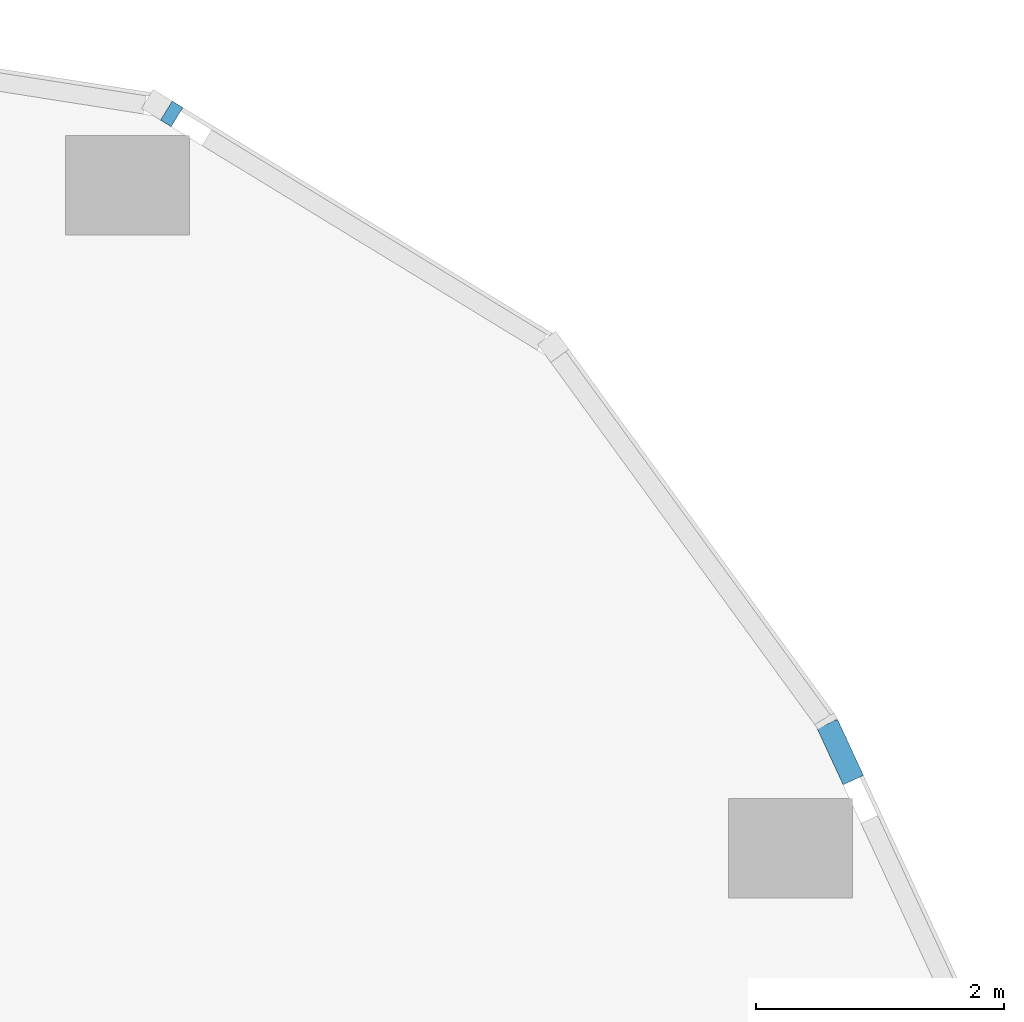
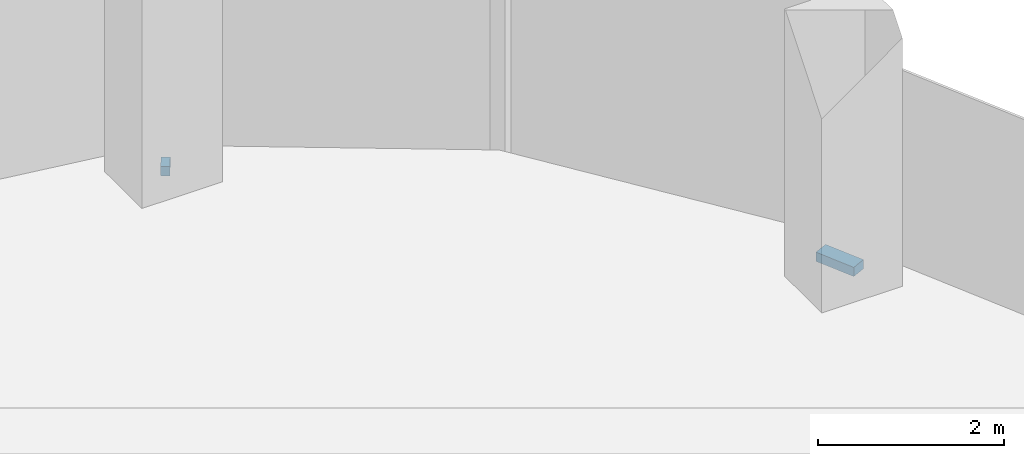
# One storey, part 17 of 24: 2 members, 2 elements without a shape of their own.
"""IFC4 building model written with IfcOpenShell, lengths in metres."""

from ifc_helpers import new_model, si_unit, direction, frame, origin, origin_2d, place, context, subcontext, project, spatial, rectangle, extrude, material, material_profile, profile_set, type_object, element, aggregate, save


model = new_model("IFC4")

# Units and contexts
model_context = context("Model", 3, precision=1e-05, world=origin(), true_north=direction((0.0, 1.0)))
body_context = subcontext(model_context, "Body", "Model", "MODEL_VIEW")
ifc_project = project(units=[si_unit("LENGTHUNIT", "METRE"), si_unit("AREAUNIT", "SQUARE_METRE"), si_unit("VOLUMEUNIT", "CUBIC_METRE"), si_unit("PLANEANGLEUNIT", "RADIAN"), si_unit("MASSUNIT", "GRAM", prefix="KILO")], contexts=[model_context])

# Site, building, storey
site_placement = place(None, origin())
site = spatial("IfcSite", under=ifc_project, at=site_placement, CompositionType="ELEMENT")
building_placement = place(site_placement, origin())
building = spatial("IfcBuilding", under=site, at=building_placement, Name="Orlundy Tower", CompositionType="ELEMENT")
storey_placement = place(building_placement, frame((0.0, 0.0, 267.5)))
storey = spatial("IfcBuildingStorey", under=building, at=storey_placement, Name="L71", CompositionType="ELEMENT", Elevation=267.5)

# Curtain wall, member
ifc_material_1 = material(Name="Aluminium bronze anodised", Category="aluminium")
curtain_wall_type = type_object("IfcCurtainWallType", Name="CW1 wall", PredefinedType="NOTDEFINED", material=ifc_material_1)
curtain_wall_1_placement = place(storey_placement, origin())
curtain_wall_1 = element("IfcCurtainWall", 1, at=curtain_wall_1_placement, inside=storey, type_object=curtain_wall_type, Name="CW1 run 13", PredefinedType="NOTDEFINED")
ifc_material_2 = material(Name="Aluminium bronze anodised", Category="aluminium")
ifc_material_profile = material_profile(ifc_material_2, rectangle(XDim=0.179931640625, YDim=0.1201171875, at=origin_2d()), Name="CW1 transom 180x120")
ifc_profile_set = profile_set([ifc_material_profile], Name="Aluminium bronze anodised")
member_type = type_object("IfcMemberType", Name="CW1 transom 180x120", PredefinedType="USERDEFINED", material=ifc_profile_set)
member_1_placement = place(storey_placement, frame((26.199462890625, 31.085205078125, -0.340087890625), z_axis=(0.853161300119, -0.52164719493, 0.0), x_axis=(0.52164719493, 0.853161300119, 0.0)))
member_1 = element("IfcMember", 2, at=member_1_placement, type_object=member_type, Name="CW1 transom", ObjectType="TRANSOM", PredefinedType="USERDEFINED", context=body_context, shape_type="SweptSolid", body=[
    extrude(rectangle(XDim=0.179931640625, YDim=0.1201171875, at=origin_2d()), origin(), (0.0, 0.0, 1.0), 0.10009765625),
])
aggregate(curtain_wall_1, [member_1])

curtain_wall_2_placement = place(storey_placement, origin())
curtain_wall_2 = element("IfcCurtainWall", 3, at=curtain_wall_2_placement, inside=storey, type_object=curtain_wall_type, Name="CW1 run 15", PredefinedType="NOTDEFINED")
member_2_placement = place(storey_placement, frame((31.526611328125, 26.14111328125, -0.340087890625), z_axis=(0.419494228682, -0.90775800305, 0.0), x_axis=(0.90775800305, 0.419494228682, 0.0)))
member_2 = element("IfcMember", 4, at=member_2_placement, type_object=member_type, Name="CW1 transom", ObjectType="TRANSOM", PredefinedType="USERDEFINED", context=body_context, shape_type="SweptSolid", body=[
    extrude(rectangle(XDim=0.179931640625, YDim=0.1201171875, at=origin_2d()), origin(), (0.0, 0.0, 1.0), 0.4970703125),
])
aggregate(curtain_wall_2, [member_2])

save(model, "model.ifc")
